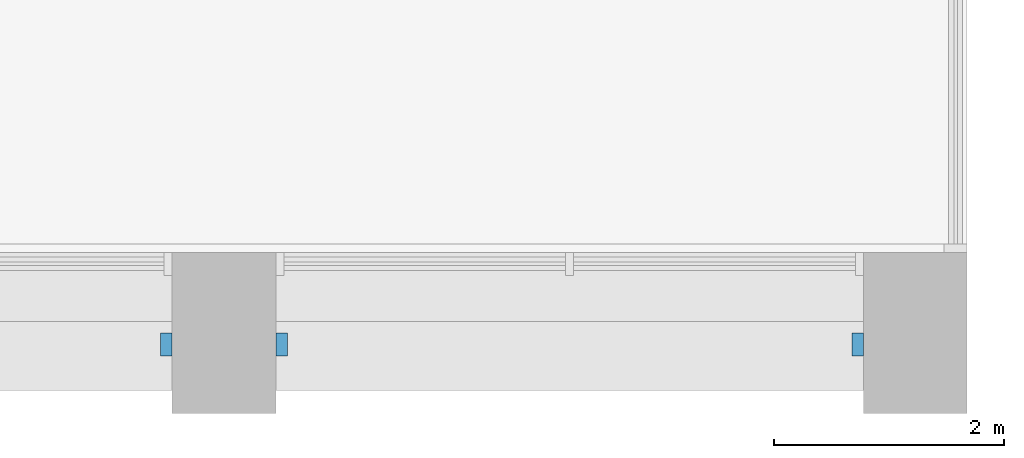
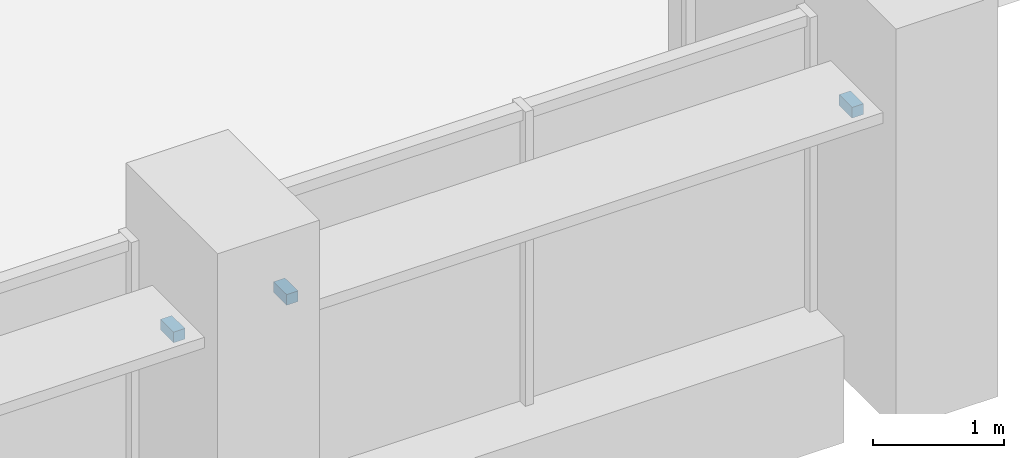
# One storey, part 15 of 17: 3 discrete accessories.
"""IFC4 building model written with IfcOpenShell, lengths in metres."""

from ifc_helpers import new_model, si_unit, direction, frame, origin, origin_2d, place, context, subcontext, project, spatial, rectangle, extrude, element, save


model = new_model("IFC4")

# Units and contexts
model_context = context("Model", 3, precision=1e-05, world=origin(), true_north=direction((0.0, 1.0)))
body_context = subcontext(model_context, "Body", "Model", "MODEL_VIEW")
ifc_project = project(units=[si_unit("LENGTHUNIT", "METRE"), si_unit("AREAUNIT", "SQUARE_METRE"), si_unit("VOLUMEUNIT", "CUBIC_METRE"), si_unit("PLANEANGLEUNIT", "RADIAN"), si_unit("MASSUNIT", "GRAM", prefix="KILO")], contexts=[model_context])

# Site, building, storey
site_placement = place(None, origin())
site = spatial("IfcSite", under=ifc_project, at=site_placement, CompositionType="ELEMENT")
building_placement = place(site_placement, origin())
building = spatial("IfcBuilding", under=site, at=building_placement, Name="Calvaro Tower", CompositionType="ELEMENT")
storey_placement = place(building_placement, frame((0.0, 0.0, 102.5)))
storey = spatial("IfcBuildingStorey", under=building, at=storey_placement, Name="L25", CompositionType="ELEMENT", Elevation=102.5)

# Discrete accessories
for number, where, z_axis, x_axis, name in (
    (1, (59.5, 2.10009765625, 2.25), (0.0, 0.0, 1.0), (1.0, 0.0, 0.0), "Brise-soleil bracket"),
    (2, (60.5, 2.10009765625, 2.25), (0.0, 0.0, 1.0), (1.0, 0.0, 0.0), "Brise-soleil bracket"),
    (3, (65.5, 2.10009765625, 2.25), (0.0, 0.0, 1.0), (1.0, 0.0, 0.0), "Brise-soleil bracket"),
):
    element("IfcDiscreteAccessory", number, at=place(storey_placement, frame(where, z_axis=z_axis, x_axis=x_axis)), inside=storey, Name=name, PredefinedType="BRACKET", context=body_context, shape_type="SweptSolid", body=[
        extrude(rectangle(XDim=0.10009765625, YDim=0.199951171875, at=origin_2d()), origin(), (0.0, 0.0, 1.0), 0.10009765625),
    ])

save(model, "model.ifc")
